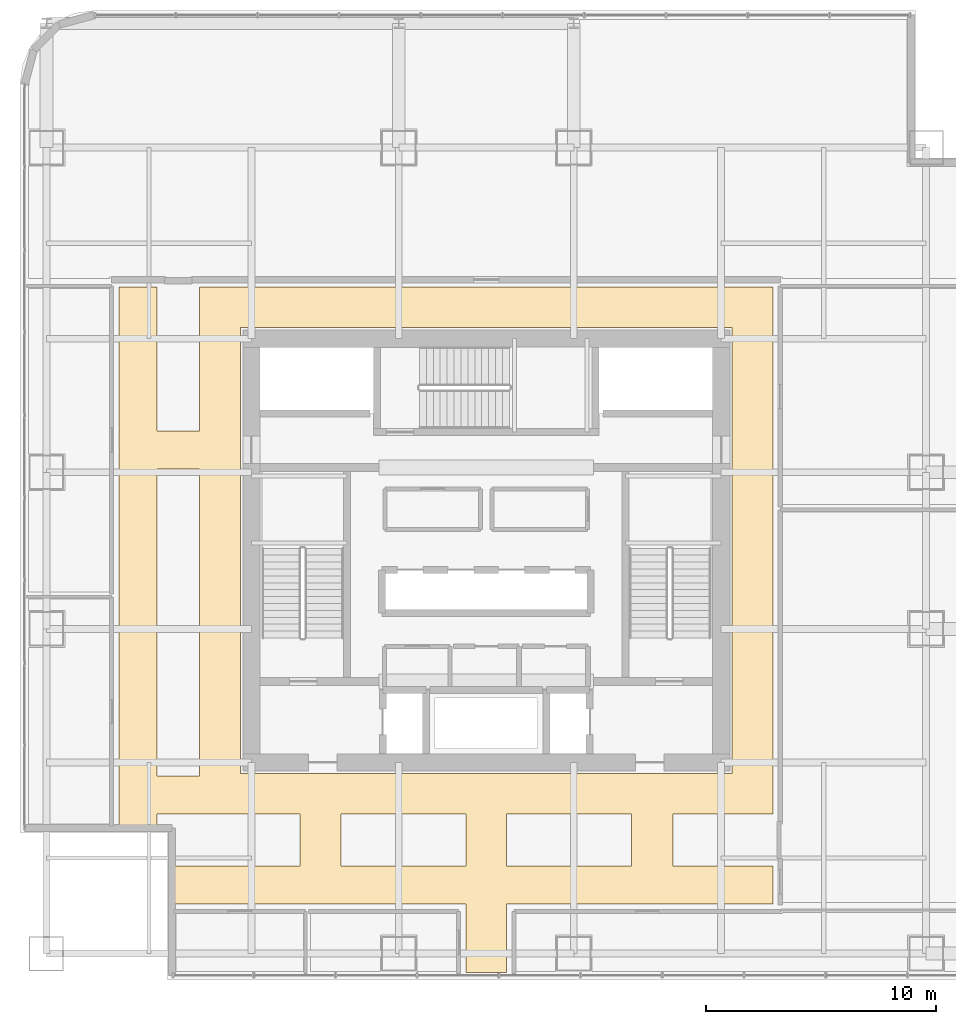
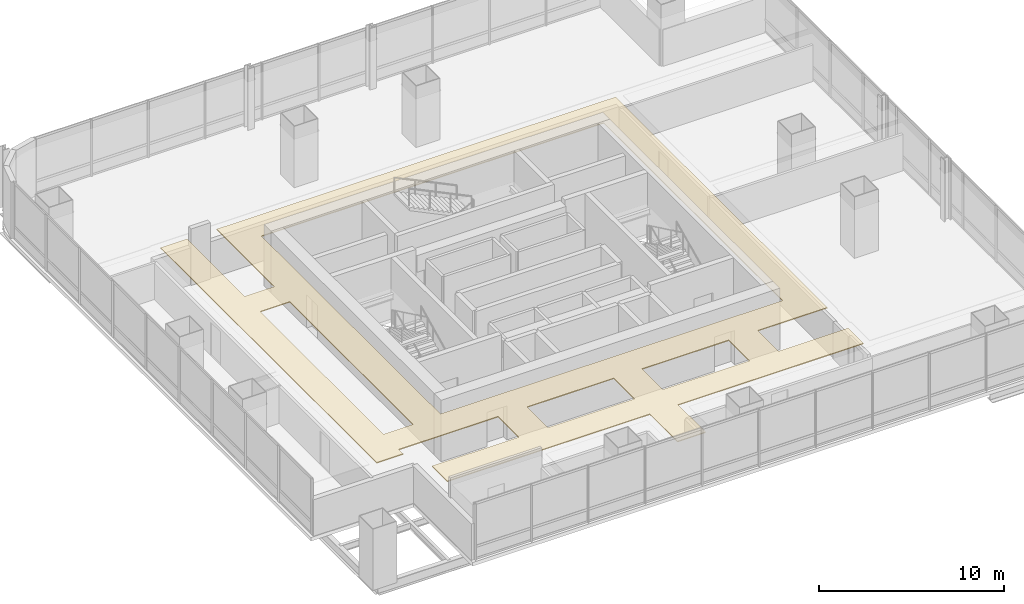
# One storey, part 31 of 33: 1 covering.
"""IFC4 building model written with IfcOpenShell, lengths in metres."""

from ifc_helpers import new_model, si_unit, direction, frame, origin, place, context, subcontext, project, spatial, polyline, outline, extrude, material, layer, layer_set, type_object, element, save


model = new_model("IFC4")

# Units and contexts
model_context = context("Model", 3, precision=1e-05, world=origin(), true_north=direction((0.0, 1.0)))
body_context = subcontext(model_context, "Body", "Model", "MODEL_VIEW")
ifc_project = project(units=[si_unit("LENGTHUNIT", "METRE"), si_unit("AREAUNIT", "SQUARE_METRE"), si_unit("VOLUMEUNIT", "CUBIC_METRE"), si_unit("PLANEANGLEUNIT", "RADIAN"), si_unit("MASSUNIT", "GRAM", prefix="KILO")], contexts=[model_context])

# Site, building, storey
site_placement = place(None, origin())
site = spatial("IfcSite", under=ifc_project, at=site_placement, CompositionType="ELEMENT")
building_placement = place(site_placement, origin())
building = spatial("IfcBuilding", under=site, at=building_placement, Name="Punatoya Terracotta Tower", CompositionType="ELEMENT")
storey_placement = place(building_placement, frame((0.0, 0.0, 121.35009765625)))
storey = spatial("IfcBuildingStorey", under=building, at=storey_placement, Name="L28", CompositionType="ELEMENT", Elevation=121.35009765625)

# Covering
ifc_material = material(Name="Acoustic Mineral Fibre Ceiling")
ifc_layer = layer(ifc_material, 0.06005859375)
ifc_layer_set = layer_set([ifc_layer], Name="Acoustic Mineral Fibre Ceiling")
covering_type = type_object("IfcCoveringType", Name="COV-CEIL-60", PredefinedType="CEILING", material=ifc_layer_set)
covering_placement = place(storey_placement, frame((0.0, 0.0, 3.199951171875)))
element("IfcCovering", 1, at=covering_placement, inside=storey, type_object=covering_type, Name="L28 Ring Circulation Corridor Acoustic Ceiling", PredefinedType="CEILING", context=body_context, shape_type="SweptSolid", body=[
    extrude(outline(polyline([(0.8798828125, -15.35009765625), (12.449951171875, -15.35009765625), (12.449951171875, -13.699951171875), (8.10009765625, -13.699951171875), (8.10009765625, -11.449951171875), (12.449951171875, -11.449951171875), (12.449951171875, 11.449951171875), (-12.449951171875, 11.449951171875), (-12.449951171875, 5.199951171875), (-14.300048828125, 5.199951171875), (-14.300048828125, 11.449951171875), (-15.949951171875, 11.449951171875), (-15.949951171875, -11.929931640625), (-14.300048828125, -11.929931640625), (-14.300048828125, -11.449951171875), (-8.10009765625, -11.449951171875), (-8.10009765625, -13.699951171875), (-13.530029296875, -13.699951171875), (-13.530029296875, -15.35009765625), (-0.8798828125, -15.35009765625), (-0.8798828125, -18.330078125), (0.8798828125, -18.330078125), (0.8798828125, -15.35009765625)]), holes=[polyline([(-10.679931640625, -9.679931640625), (-10.679931640625, 9.679931640625), (10.679931640625, 9.679931640625), (10.679931640625, -9.679931640625), (-10.679931640625, -9.679931640625)]), polyline([(0.8798828125, -11.449951171875), (6.300048828125, -11.449951171875), (6.300048828125, -13.699951171875), (0.8798828125, -13.699951171875), (0.8798828125, -11.449951171875)]), polyline([(-6.300048828125, -11.449951171875), (-0.8798828125, -11.449951171875), (-0.8798828125, -13.699951171875), (-6.300048828125, -13.699951171875), (-6.300048828125, -11.449951171875)]), polyline([(-14.300048828125, -9.800048828125), (-14.300048828125, 3.550048828125), (-12.449951171875, 3.550048828125), (-12.449951171875, -9.800048828125), (-14.300048828125, -9.800048828125)])]), origin(), (0.0, 0.0, 1.0), 0.06005859375),
])

save(model, "model.ifc")
